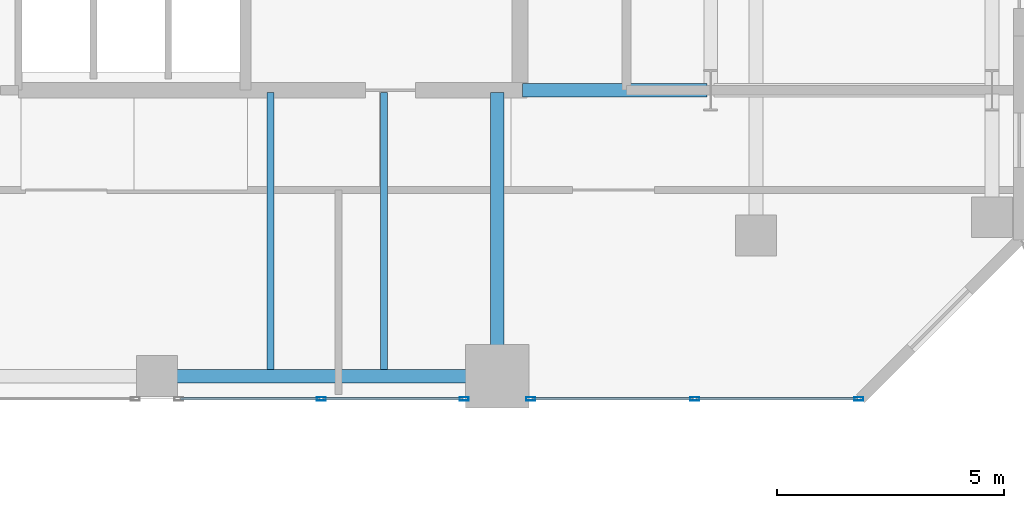
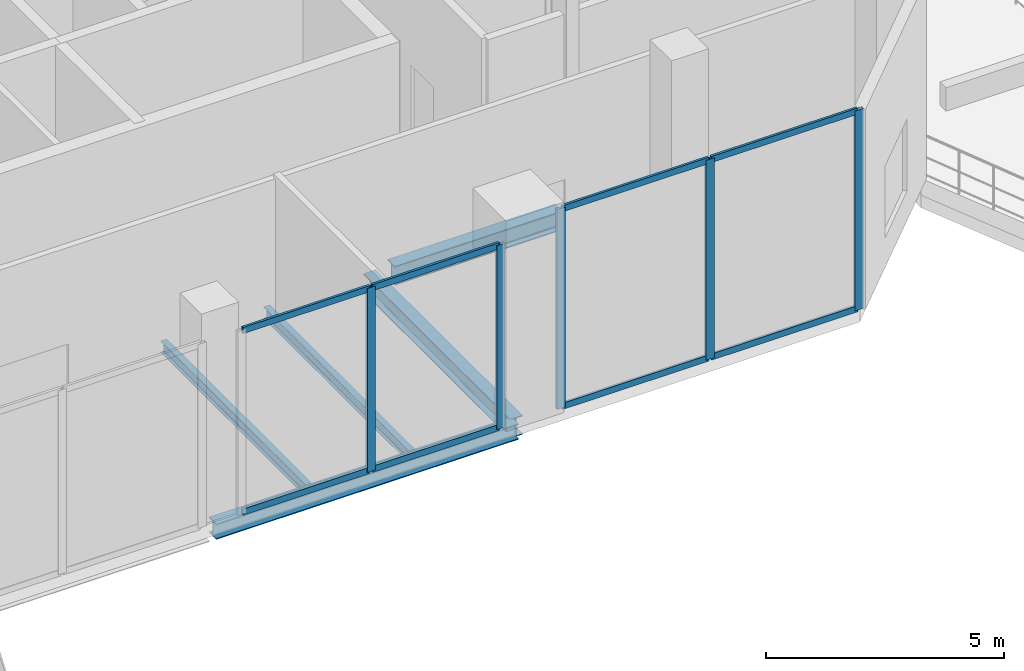
# One storey, part 11 of 24: 13 members, 5 beams, 2 elements without a shape of their own.
"""IFC4 building model written with IfcOpenShell, lengths in metres."""

from ifc_helpers import new_model, si_unit, direction, frame, origin, origin_2d, place, context, subcontext, project, spatial, hollow_rectangle, i_section, extrude, material, layer, layer_set, material_profile, profile_set, type_object, element, aggregate, save


model = new_model("IFC4")

# Units and contexts
model_context = context("Model", 3, precision=1e-05, world=origin(), true_north=direction((0.0, 1.0)))
body_context = subcontext(model_context, "Body", "Model", "MODEL_VIEW")
ifc_project = project(units=[si_unit("LENGTHUNIT", "METRE"), si_unit("AREAUNIT", "SQUARE_METRE"), si_unit("VOLUMEUNIT", "CUBIC_METRE"), si_unit("PLANEANGLEUNIT", "RADIAN"), si_unit("MASSUNIT", "GRAM", prefix="KILO")], contexts=[model_context])

# Site, building, storey
site_placement = place(None, origin())
site = spatial("IfcSite", under=ifc_project, at=site_placement, CompositionType="ELEMENT")
building_placement = place(site_placement, origin())
building = spatial("IfcBuilding", under=site, at=building_placement, Name="Catumbela Crestline Tower", CompositionType="ELEMENT")
storey_placement = place(building_placement, frame((0.0, 0.0, 84.6)))
storey = spatial("IfcBuildingStorey", under=building, at=storey_placement, Name="L21", CompositionType="ELEMENT", Elevation=84.6)

# Beams
ifc_material_1 = material(Name="Structural steel S355J2", Category="steel")
ifc_material_profile_1 = material_profile(ifc_material_1, i_section(OverallWidth=0.3, OverallDepth=0.49, WebThickness=0.012, FlangeThickness=0.023, FilletRadius=0.027, at=origin_2d()), Name="HEA 500")
ifc_profile_set_1 = profile_set([ifc_material_profile_1], Name="Structural steel S355J2")
beam_type_1 = type_object("IfcBeamType", Name="BG-HEA500", PredefinedType="BEAM", material=ifc_profile_set_1)
beam_1_placement = place(storey_placement, frame((40.05, 30.8, -0.595), z_axis=(1.0, 0.0, 0.0), x_axis=(0.0, 1.0, 0.0)))
element("IfcBeam", 1, at=beam_1_placement, inside=storey, type_object=beam_type_1, Name="L21 Beam BM-L21-M10", PredefinedType="BEAM", context=body_context, shape_type="SweptSolid", body=[
    extrude(i_section(OverallWidth=0.3, OverallDepth=0.49, WebThickness=0.012, FlangeThickness=0.023, FilletRadius=0.027, at=origin_2d()), origin(), (0.0, 0.0, 1.0), 4.07),
])
beam_2_placement = place(storey_placement, frame((39.5, 24.58, -0.595), z_axis=(0.0, 1.0, 0.0), x_axis=(-1.0, 0.0, 0.0)))
element("IfcBeam", 2, at=beam_2_placement, inside=storey, type_object=beam_type_1, Name="L21 Beam BM-L21-SNS31", PredefinedType="BEAM", context=body_context, shape_type="SweptSolid", body=[
    extrude(i_section(OverallWidth=0.3, OverallDepth=0.49, WebThickness=0.012, FlangeThickness=0.023, FilletRadius=0.027, at=origin_2d()), origin(), (0.0, 0.0, 1.0), 6.17),
])
ifc_material_profile_2 = material_profile(ifc_material_1, i_section(OverallWidth=0.15, OverallDepth=0.3, WebThickness=0.0071, FlangeThickness=0.0107, FilletRadius=0.015, at=origin_2d()), Name="IPE 300")
ifc_profile_set_2 = profile_set([ifc_material_profile_2], Name="Structural steel S355J2")
beam_type_2 = type_object("IfcBeamType", Name="BJ-IPE300", PredefinedType="JOIST", material=ifc_profile_set_2)
for number, where, z_axis, x_axis, name in (
    (3, (34.5, 24.647, -0.5), (0.0, 1.0, 0.0), (-1.0, 0.0, 0.0), "L21 Joist JS-L21-SP41"),
    (4, (37.0, 24.647, -0.5), (0.0, 1.0, 0.0), (-1.0, 0.0, 0.0), "L21 Joist JS-L21-SP42"),
):
    element("IfcBeam", number, at=place(storey_placement, frame(where, z_axis=z_axis, x_axis=x_axis)), inside=storey, type_object=beam_type_2, Name=name, PredefinedType="JOIST", context=body_context, shape_type="SweptSolid", body=[
        extrude(i_section(OverallWidth=0.15, OverallDepth=0.3, WebThickness=0.0071, FlangeThickness=0.0107, FilletRadius=0.015, at=origin_2d()), origin(), (0.0, 0.0, 1.0), 6.103),
    ])

# Curtain wall, members
ifc_material_2 = material(Name="Aluminium alloy AW-6060-T66", Category="aluminium")
ifc_layer = layer(ifc_material_2, 0.18, Name="Aluminium alloy AW-6060-T66")
ifc_layer_set = layer_set([ifc_layer], Name="Aluminium alloy AW-6060-T66")
curtain_wall_type = type_object("IfcCurtainWallType", Name="CWU-SKY", PredefinedType="USERDEFINED", material=ifc_layer_set)
curtain_wall_1_placement = place(storey_placement, origin())
curtain_wall_1 = element("IfcCurtainWall", 5, at=curtain_wall_1_placement, inside=storey, type_object=curtain_wall_type, Name="L21 Unitised Curtain Wall CW-L21-E3S2", ObjectType="UNITISED", PredefinedType="USERDEFINED")
ifc_material_profile_3 = material_profile(ifc_material_2, hollow_rectangle(XDim=0.075, YDim=0.2, WallThickness=0.005, at=origin_2d()), Name="ALU 200x75x5")
ifc_profile_set_3 = profile_set([ifc_material_profile_3], Name="Aluminium alloy AW-6060-T66")
member_type_1 = type_object("IfcMemberType", Name="MUL-200X75", PredefinedType="MULLION", material=ifc_profile_set_3)
member_1_placement = place(storey_placement, frame((35.625, 24.0, 0.0), z_axis=(0.0, 0.0, 1.0), x_axis=(0.0, 1.0, 0.0)))
member_1 = element("IfcMember", 6, at=member_1_placement, type_object=member_type_1, Name="CWU-SKY mullion 2", PredefinedType="MULLION", context=body_context, shape_type="SweptSolid", body=[
    extrude(hollow_rectangle(XDim=0.075, YDim=0.2, WallThickness=0.005, at=origin_2d()), origin(), (0.0, 0.0, 1.0), 4.72),
])
member_2_placement = place(storey_placement, frame((38.7675, 24.0, 0.0), z_axis=(0.0, 0.0, 1.0), x_axis=(0.0, 1.0, 0.0)))
member_2 = element("IfcMember", 7, at=member_2_placement, type_object=member_type_1, Name="CWU-SKY mullion 3", PredefinedType="MULLION", context=body_context, shape_type="SweptSolid", body=[
    extrude(hollow_rectangle(XDim=0.075, YDim=0.2, WallThickness=0.005, at=origin_2d()), origin(), (0.0, 0.0, 1.0), 4.72),
])

curtain_wall_2_placement = place(storey_placement, origin())
curtain_wall_2 = element("IfcCurtainWall", 8, at=curtain_wall_2_placement, inside=storey, type_object=curtain_wall_type, Name="L21 Unitised Curtain Wall CW-L21-E3S3", ObjectType="UNITISED", PredefinedType="USERDEFINED")
member_3_placement = place(storey_placement, frame((40.2325, 24.0, 0.0), z_axis=(0.0, 0.0, 1.0), x_axis=(0.0, 1.0, 0.0)))
member_3 = element("IfcMember", 9, at=member_3_placement, type_object=member_type_1, Name="CWU-SKY mullion 1", PredefinedType="MULLION", context=body_context, shape_type="SweptSolid", body=[
    extrude(hollow_rectangle(XDim=0.075, YDim=0.2, WallThickness=0.005, at=origin_2d()), origin(), (0.0, 0.0, 1.0), 5.13),
])
member_4_placement = place(storey_placement, frame((43.85, 24.0, 0.0), z_axis=(0.0, 0.0, 1.0), x_axis=(0.0, 1.0, 0.0)))
member_4 = element("IfcMember", 10, at=member_4_placement, type_object=member_type_1, Name="CWU-SKY mullion 2", PredefinedType="MULLION", context=body_context, shape_type="SweptSolid", body=[
    extrude(hollow_rectangle(XDim=0.075, YDim=0.2, WallThickness=0.005, at=origin_2d()), origin(), (0.0, 0.0, 1.0), 5.13),
])
member_5_placement = place(storey_placement, frame((47.4675, 24.0, 0.0), z_axis=(0.0, 0.0, 1.0), x_axis=(0.0, 1.0, 0.0)))
member_5 = element("IfcMember", 11, at=member_5_placement, type_object=member_type_1, Name="CWU-SKY mullion 3", PredefinedType="MULLION", context=body_context, shape_type="SweptSolid", body=[
    extrude(hollow_rectangle(XDim=0.075, YDim=0.2, WallThickness=0.005, at=origin_2d()), origin(), (0.0, 0.0, 1.0), 5.13),
])

# Beam
ifc_material_profile_4 = material_profile(ifc_material_1, i_section(OverallWidth=0.3, OverallDepth=0.4, WebThickness=0.0135, FlangeThickness=0.024, FilletRadius=0.027, at=origin_2d()), Name="HEB 400")
ifc_profile_set_4 = profile_set([ifc_material_profile_4], Name="Structural steel S355J2")
beam_type_3 = type_object("IfcBeamType", Name="BS-HEB400", PredefinedType="SPANDREL", material=ifc_profile_set_4)
beam_3_placement = place(storey_placement, frame((32.08, 24.5, -0.55), z_axis=(1.0, 0.0, 0.0), x_axis=(0.0, 1.0, 0.0)))
element("IfcBeam", 12, at=beam_3_placement, inside=storey, type_object=beam_type_3, Name="L21 Spandrel SP-L21-S06", PredefinedType="SPANDREL", context=body_context, shape_type="SweptSolid", body=[
    extrude(i_section(OverallWidth=0.3, OverallDepth=0.4, WebThickness=0.0135, FlangeThickness=0.024, FilletRadius=0.027, at=origin_2d()), origin(), (0.0, 0.0, 1.0), 7.34),
])

# Member
ifc_material_profile_5 = material_profile(ifc_material_2, hollow_rectangle(XDim=0.06, YDim=0.16, WallThickness=0.004, at=origin_2d()), Name="ALU 160x60x4")
ifc_profile_set_5 = profile_set([ifc_material_profile_5], Name="Aluminium alloy AW-6060-T66")
member_type_2 = type_object("IfcMemberType", Name="TRN-160X60", PredefinedType="USERDEFINED", material=ifc_profile_set_5)
member_6_placement = place(storey_placement, frame((32.515, 24.0, 0.03), z_axis=(1.0, 0.0, 0.0), x_axis=(0.0, 1.0, 0.0)))
member_6 = element("IfcMember", 13, at=member_6_placement, type_object=member_type_2, Name="CWU-SKY transom 1.1", ObjectType="TRANSOM", PredefinedType="USERDEFINED", context=body_context, shape_type="SweptSolid", body=[
    extrude(hollow_rectangle(XDim=0.06, YDim=0.16, WallThickness=0.004, at=origin_2d()), origin(), (0.0, 0.0, 1.0), 3.0775),
])

member_7_placement = place(storey_placement, frame((32.515, 24.0, 4.69), z_axis=(1.0, 0.0, 0.0), x_axis=(0.0, 1.0, 0.0)))
member_7 = element("IfcMember", 14, at=member_7_placement, type_object=member_type_2, Name="CWU-SKY transom 1.2", ObjectType="TRANSOM", PredefinedType="USERDEFINED", context=body_context, shape_type="SweptSolid", body=[
    extrude(hollow_rectangle(XDim=0.06, YDim=0.16, WallThickness=0.004, at=origin_2d()), origin(), (0.0, 0.0, 1.0), 3.0775),
])

member_8_placement = place(storey_placement, frame((35.6575, 24.0, 0.03), z_axis=(1.0, 0.0, 0.0), x_axis=(0.0, 1.0, 0.0)))
member_8 = element("IfcMember", 15, at=member_8_placement, type_object=member_type_2, Name="CWU-SKY transom 2.1", ObjectType="TRANSOM", PredefinedType="USERDEFINED", context=body_context, shape_type="SweptSolid", body=[
    extrude(hollow_rectangle(XDim=0.06, YDim=0.16, WallThickness=0.004, at=origin_2d()), origin(), (0.0, 0.0, 1.0), 3.0775),
])

member_9_placement = place(storey_placement, frame((35.6575, 24.0, 4.69), z_axis=(1.0, 0.0, 0.0), x_axis=(0.0, 1.0, 0.0)))
member_9 = element("IfcMember", 16, at=member_9_placement, type_object=member_type_2, Name="CWU-SKY transom 2.2", ObjectType="TRANSOM", PredefinedType="USERDEFINED", context=body_context, shape_type="SweptSolid", body=[
    extrude(hollow_rectangle(XDim=0.06, YDim=0.16, WallThickness=0.004, at=origin_2d()), origin(), (0.0, 0.0, 1.0), 3.0775),
])

aggregate(curtain_wall_1, [member_1, member_2, member_6, member_7, member_8, member_9])

member_10_placement = place(storey_placement, frame((40.265, 24.0, 0.03), z_axis=(1.0, 0.0, 0.0), x_axis=(0.0, 1.0, 0.0)))
member_10 = element("IfcMember", 17, at=member_10_placement, type_object=member_type_2, Name="CWU-SKY transom 1.1", ObjectType="TRANSOM", PredefinedType="USERDEFINED", context=body_context, shape_type="SweptSolid", body=[
    extrude(hollow_rectangle(XDim=0.06, YDim=0.16, WallThickness=0.004, at=origin_2d()), origin(), (0.0, 0.0, 1.0), 3.5525),
])

member_11_placement = place(storey_placement, frame((40.265, 24.0, 5.1), z_axis=(1.0, 0.0, 0.0), x_axis=(0.0, 1.0, 0.0)))
member_11 = element("IfcMember", 18, at=member_11_placement, type_object=member_type_2, Name="CWU-SKY transom 1.2", ObjectType="TRANSOM", PredefinedType="USERDEFINED", context=body_context, shape_type="SweptSolid", body=[
    extrude(hollow_rectangle(XDim=0.06, YDim=0.16, WallThickness=0.004, at=origin_2d()), origin(), (0.0, 0.0, 1.0), 3.5525),
])

member_12_placement = place(storey_placement, frame((43.8825, 24.0, 0.03), z_axis=(1.0, 0.0, 0.0), x_axis=(0.0, 1.0, 0.0)))
member_12 = element("IfcMember", 19, at=member_12_placement, type_object=member_type_2, Name="CWU-SKY transom 2.1", ObjectType="TRANSOM", PredefinedType="USERDEFINED", context=body_context, shape_type="SweptSolid", body=[
    extrude(hollow_rectangle(XDim=0.06, YDim=0.16, WallThickness=0.004, at=origin_2d()), origin(), (0.0, 0.0, 1.0), 3.5525),
])

member_13_placement = place(storey_placement, frame((43.8825, 24.0, 5.1), z_axis=(1.0, 0.0, 0.0), x_axis=(0.0, 1.0, 0.0)))
member_13 = element("IfcMember", 20, at=member_13_placement, type_object=member_type_2, Name="CWU-SKY transom 2.2", ObjectType="TRANSOM", PredefinedType="USERDEFINED", context=body_context, shape_type="SweptSolid", body=[
    extrude(hollow_rectangle(XDim=0.06, YDim=0.16, WallThickness=0.004, at=origin_2d()), origin(), (0.0, 0.0, 1.0), 3.5525),
])

aggregate(curtain_wall_2, [member_3, member_4, member_5, member_10, member_11, member_12, member_13])

save(model, "model.ifc")
